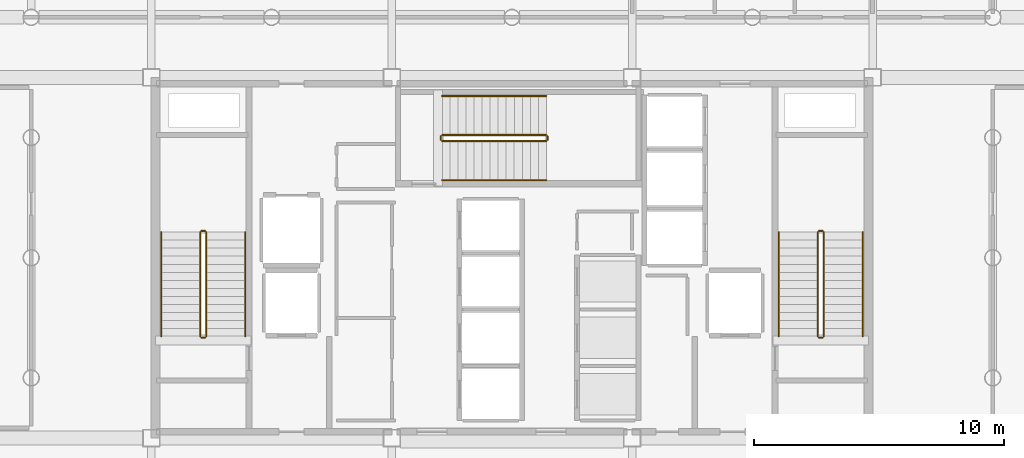
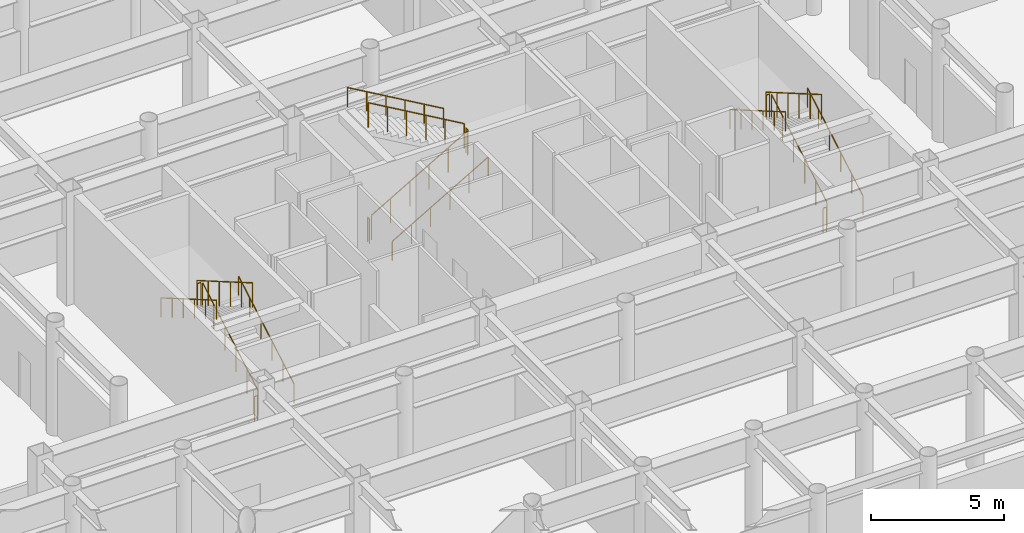
# One storey, part 19 of 20: 18 railings.
"""IFC4 building model written with IfcOpenShell, lengths in metres."""

from ifc_helpers import new_model, si_unit, direction, frame, origin, origin_2d, place, context, subcontext, project, spatial, circle, extrude, material, layer, layer_set, type_object, element, save


model = new_model("IFC4")

# Units and contexts
model_context = context("Model", 3, precision=1e-05, world=origin(), true_north=direction((0.0, 1.0)))
body_context = subcontext(model_context, "Body", "Model", "MODEL_VIEW")
ifc_project = project(units=[si_unit("LENGTHUNIT", "METRE"), si_unit("AREAUNIT", "SQUARE_METRE"), si_unit("VOLUMEUNIT", "CUBIC_METRE"), si_unit("PLANEANGLEUNIT", "RADIAN"), si_unit("MASSUNIT", "GRAM", prefix="KILO")], contexts=[model_context])

# Site, building, storey
site_placement = place(None, origin())
site = spatial("IfcSite", under=ifc_project, at=site_placement, CompositionType="ELEMENT")
building_placement = place(site_placement, origin())
building = spatial("IfcBuilding", under=site, at=building_placement, Name="Kallvorn Hotel Tower", CompositionType="ELEMENT")
storey_placement = place(building_placement, frame((0.0, 0.0, 180.300048828125)))
storey = spatial("IfcBuildingStorey", under=building, at=storey_placement, Name="L45", CompositionType="ELEMENT", Elevation=180.300048828125)

# Railings
ifc_material_1 = material(Name="Brushed stainless-steel tubular railing", Category="steel")
ifc_layer_1 = layer(ifc_material_1, 0.050048828125)
ifc_layer_set_1 = layer_set([ifc_layer_1], Name="RL_STAIR_GUARD")
railing_type_1 = type_object("IfcRailingType", Name="RL_STAIR_GUARD", PredefinedType="GUARDRAIL", material=ifc_layer_set_1)
railing_1_placement = place(storey_placement, frame((-12.2099609375, -3.139892578125, 0.185546875)))
element("IfcRailing", 1, at=railing_1_placement, inside=storey, type_object=railing_type_1, Name="L45 ST1 stair guard 1", PredefinedType="GUARDRAIL", context=body_context, shape_type="SweptSolid", body=[
    extrude(circle(Radius=0.02392578125, at=origin_2d()), frame((0.0, 0.0, 1.1259765625), z_axis=(0.0, 0.864890605827, 0.501960396797), x_axis=(-1.0, 0.0, 0.0)), (0.0, 0.0, 1.0), 4.809814453125),
    extrude(circle(Radius=0.02099609375, at=origin_2d()), origin(), (0.0, 0.0, 1.0), 1.101806640625),
    extrude(circle(Radius=0.02099609375, at=origin_2d()), frame((0.0, 0.83203125, 0.48291015625)), (0.0, 0.0, 1.0), 1.101806640625),
    extrude(circle(Radius=0.02099609375, at=origin_2d()), frame((0.0, 1.6640625, 0.9658203125)), (0.0, 0.0, 1.0), 1.101806640625),
    extrude(circle(Radius=0.02099609375, at=origin_2d()), frame((0.0, 2.495849609375, 1.448486328125)), (0.0, 0.0, 1.0), 1.101806640625),
    extrude(circle(Radius=0.02099609375, at=origin_2d()), frame((0.0, 3.327880859375, 1.931396484375)), (0.0, 0.0, 1.0), 1.101806640625),
    extrude(circle(Radius=0.02099609375, at=origin_2d()), frame((0.0, 4.159912109375, 2.414306640625)), (0.0, 0.0, 1.0), 1.101806640625),
])
railing_2_placement = place(storey_placement, frame((-12.260009765625, 1.070068359375, 2.599853515625)))
element("IfcRailing", 2, at=railing_2_placement, inside=storey, type_object=railing_type_1, Name="L45 ST1 stair guard 2", PredefinedType="GUARDRAIL", context=body_context, shape_type="SweptSolid", body=[
    extrude(circle(Radius=0.02392578125, at=origin_2d()), frame((0.0, 0.0, 1.1259765625), z_axis=(-1.0, 0.0, 0.0), x_axis=(0.0, -1.0, 0.0)), (0.0, 0.0, 1.0), 0.139892578125),
    extrude(circle(Radius=0.02099609375, at=origin_2d()), origin(), (0.0, 0.0, 1.0), 1.101806640625),
    extrude(circle(Radius=0.02099609375, at=origin_2d()), frame((-0.139892578125, 0.0, 0.0)), (0.0, 0.0, 1.0), 1.101806640625),
])
railing_3_placement = place(storey_placement, frame((-12.449951171875, 1.02001953125, 2.78564453125)))
element("IfcRailing", 3, at=railing_3_placement, inside=storey, type_object=railing_type_1, Name="L45 ST1 stair guard 3", PredefinedType="GUARDRAIL", context=body_context, shape_type="SweptSolid", body=[
    extrude(circle(Radius=0.02392578125, at=origin_2d()), frame((0.0, 0.0, 1.1259765625), z_axis=(0.0, -0.864890605827, 0.501960396797), x_axis=(1.0, 0.0, 0.0)), (0.0, 0.0, 1.0), 4.809814453125),
    extrude(circle(Radius=0.02099609375, at=origin_2d()), origin(), (0.0, 0.0, 1.0), 1.101806640625),
    extrude(circle(Radius=0.02099609375, at=origin_2d()), frame((0.0, -0.83203125, 0.48291015625)), (0.0, 0.0, 1.0), 1.101806640625),
    extrude(circle(Radius=0.02099609375, at=origin_2d()), frame((0.0, -1.6640625, 0.9658203125)), (0.0, 0.0, 1.0), 1.101806640625),
    extrude(circle(Radius=0.02099609375, at=origin_2d()), frame((0.0, -2.495849609375, 1.448486328125)), (0.0, 0.0, 1.0), 1.101806640625),
    extrude(circle(Radius=0.02099609375, at=origin_2d()), frame((0.0, -3.327880859375, 1.931396484375)), (0.0, 0.0, 1.0), 1.101806640625),
    extrude(circle(Radius=0.02099609375, at=origin_2d()), frame((0.0, -4.159912109375, 2.414306640625)), (0.0, 0.0, 1.0), 1.101806640625),
])
railing_4_placement = place(storey_placement, frame((-12.260009765625, -3.18994140625, 0.0)))
element("IfcRailing", 4, at=railing_4_placement, inside=storey, type_object=railing_type_1, Name="L45 ST1 stair guard 4", PredefinedType="GUARDRAIL", context=body_context, shape_type="SweptSolid", body=[
    extrude(circle(Radius=0.02392578125, at=origin_2d()), frame((0.0, 0.0, 1.1259765625), z_axis=(-1.0, 0.0, 0.0), x_axis=(0.0, -1.0, 0.0)), (0.0, 0.0, 1.0), 0.139892578125),
    extrude(circle(Radius=0.02099609375, at=origin_2d()), origin(), (0.0, 0.0, 1.0), 1.101806640625),
    extrude(circle(Radius=0.02099609375, at=origin_2d()), frame((-0.139892578125, 0.0, 0.0)), (0.0, 0.0, 1.0), 1.101806640625),
])
railing_5_placement = place(storey_placement, frame((12.449951171875, -3.139892578125, 0.185546875)))
element("IfcRailing", 5, at=railing_5_placement, inside=storey, type_object=railing_type_1, Name="L45 ST2 stair guard 1", PredefinedType="GUARDRAIL", context=body_context, shape_type="SweptSolid", body=[
    extrude(circle(Radius=0.02392578125, at=origin_2d()), frame((0.0, 0.0, 1.1259765625), z_axis=(0.0, 0.864890605827, 0.501960396797), x_axis=(-1.0, 0.0, 0.0)), (0.0, 0.0, 1.0), 4.809814453125),
    extrude(circle(Radius=0.02099609375, at=origin_2d()), origin(), (0.0, 0.0, 1.0), 1.101806640625),
    extrude(circle(Radius=0.02099609375, at=origin_2d()), frame((0.0, 0.83203125, 0.48291015625)), (0.0, 0.0, 1.0), 1.101806640625),
    extrude(circle(Radius=0.02099609375, at=origin_2d()), frame((0.0, 1.6640625, 0.9658203125)), (0.0, 0.0, 1.0), 1.101806640625),
    extrude(circle(Radius=0.02099609375, at=origin_2d()), frame((0.0, 2.495849609375, 1.448486328125)), (0.0, 0.0, 1.0), 1.101806640625),
    extrude(circle(Radius=0.02099609375, at=origin_2d()), frame((0.0, 3.327880859375, 1.931396484375)), (0.0, 0.0, 1.0), 1.101806640625),
    extrude(circle(Radius=0.02099609375, at=origin_2d()), frame((0.0, 4.159912109375, 2.414306640625)), (0.0, 0.0, 1.0), 1.101806640625),
])
railing_6_placement = place(storey_placement, frame((12.39990234375, 1.070068359375, 2.599853515625)))
element("IfcRailing", 6, at=railing_6_placement, inside=storey, type_object=railing_type_1, Name="L45 ST2 stair guard 2", PredefinedType="GUARDRAIL", context=body_context, shape_type="SweptSolid", body=[
    extrude(circle(Radius=0.02392578125, at=origin_2d()), frame((0.0, 0.0, 1.1259765625), z_axis=(-1.0, 0.0, 0.0), x_axis=(0.0, -1.0, 0.0)), (0.0, 0.0, 1.0), 0.139892578125),
    extrude(circle(Radius=0.02099609375, at=origin_2d()), origin(), (0.0, 0.0, 1.0), 1.101806640625),
    extrude(circle(Radius=0.02099609375, at=origin_2d()), frame((-0.139892578125, 0.0, 0.0)), (0.0, 0.0, 1.0), 1.101806640625),
])
railing_7_placement = place(storey_placement, frame((12.2099609375, 1.02001953125, 2.78564453125)))
element("IfcRailing", 7, at=railing_7_placement, inside=storey, type_object=railing_type_1, Name="L45 ST2 stair guard 3", PredefinedType="GUARDRAIL", context=body_context, shape_type="SweptSolid", body=[
    extrude(circle(Radius=0.02392578125, at=origin_2d()), frame((0.0, 0.0, 1.1259765625), z_axis=(0.0, -0.864890605827, 0.501960396797), x_axis=(1.0, 0.0, 0.0)), (0.0, 0.0, 1.0), 4.809814453125),
    extrude(circle(Radius=0.02099609375, at=origin_2d()), origin(), (0.0, 0.0, 1.0), 1.101806640625),
    extrude(circle(Radius=0.02099609375, at=origin_2d()), frame((0.0, -0.83203125, 0.48291015625)), (0.0, 0.0, 1.0), 1.101806640625),
    extrude(circle(Radius=0.02099609375, at=origin_2d()), frame((0.0, -1.6640625, 0.9658203125)), (0.0, 0.0, 1.0), 1.101806640625),
    extrude(circle(Radius=0.02099609375, at=origin_2d()), frame((0.0, -2.495849609375, 1.448486328125)), (0.0, 0.0, 1.0), 1.101806640625),
    extrude(circle(Radius=0.02099609375, at=origin_2d()), frame((0.0, -3.327880859375, 1.931396484375)), (0.0, 0.0, 1.0), 1.101806640625),
    extrude(circle(Radius=0.02099609375, at=origin_2d()), frame((0.0, -4.159912109375, 2.414306640625)), (0.0, 0.0, 1.0), 1.101806640625),
])
railing_8_placement = place(storey_placement, frame((12.39990234375, -3.18994140625, 0.0)))
element("IfcRailing", 8, at=railing_8_placement, inside=storey, type_object=railing_type_1, Name="L45 ST2 stair guard 4", PredefinedType="GUARDRAIL", context=body_context, shape_type="SweptSolid", body=[
    extrude(circle(Radius=0.02392578125, at=origin_2d()), frame((0.0, 0.0, 1.1259765625), z_axis=(-1.0, 0.0, 0.0), x_axis=(0.0, -1.0, 0.0)), (0.0, 0.0, 1.0), 0.139892578125),
    extrude(circle(Radius=0.02099609375, at=origin_2d()), origin(), (0.0, 0.0, 1.0), 1.101806640625),
    extrude(circle(Radius=0.02099609375, at=origin_2d()), frame((-0.139892578125, 0.0, 0.0)), (0.0, 0.0, 1.0), 1.101806640625),
])
railing_9_placement = place(storey_placement, frame((-2.7900390625, 4.659912109375, 0.185546875)))
element("IfcRailing", 9, at=railing_9_placement, inside=storey, type_object=railing_type_1, Name="L45 ST3 stair guard 1", PredefinedType="GUARDRAIL", context=body_context, shape_type="SweptSolid", body=[
    extrude(circle(Radius=0.02392578125, at=origin_2d()), frame((0.0, 0.0, 1.1259765625), z_axis=(0.864903394556, 0.0, 0.501938360843), x_axis=(0.0, 1.0, 0.0)), (0.0, 0.0, 1.0), 4.81005859375),
    extrude(circle(Radius=0.02099609375, at=origin_2d()), origin(), (0.0, 0.0, 1.0), 1.101806640625),
    extrude(circle(Radius=0.02099609375, at=origin_2d()), frame((0.83203125, 0.0, 0.48291015625)), (0.0, 0.0, 1.0), 1.101806640625),
    extrude(circle(Radius=0.02099609375, at=origin_2d()), frame((1.6640625, 0.0, 0.9658203125)), (0.0, 0.0, 1.0), 1.101806640625),
    extrude(circle(Radius=0.02099609375, at=origin_2d()), frame((2.49609375, 0.0, 1.448486328125)), (0.0, 0.0, 1.0), 1.101806640625),
    extrude(circle(Radius=0.02099609375, at=origin_2d()), frame((3.328125, 0.0, 1.931396484375)), (0.0, 0.0, 1.0), 1.101806640625),
    extrude(circle(Radius=0.02099609375, at=origin_2d()), frame((4.16015625, 0.0, 2.414306640625)), (0.0, 0.0, 1.0), 1.101806640625),
])
railing_10_placement = place(storey_placement, frame((1.419921875, 4.7099609375, 2.599853515625)))
element("IfcRailing", 10, at=railing_10_placement, inside=storey, type_object=railing_type_1, Name="L45 ST3 stair guard 2", PredefinedType="GUARDRAIL", context=body_context, shape_type="SweptSolid", body=[
    extrude(circle(Radius=0.02392578125, at=origin_2d()), frame((0.0, 0.0, 1.1259765625), z_axis=(0.0, 1.0, 0.0), x_axis=(-1.0, 0.0, 0.0)), (0.0, 0.0, 1.0), 0.14013671875),
    extrude(circle(Radius=0.02099609375, at=origin_2d()), origin(), (0.0, 0.0, 1.0), 1.101806640625),
    extrude(circle(Radius=0.02099609375, at=origin_2d()), frame((0.0, 0.14013671875, 0.0)), (0.0, 0.0, 1.0), 1.101806640625),
])
railing_11_placement = place(storey_placement, frame((1.3701171875, 4.89990234375, 2.78564453125)))
element("IfcRailing", 11, at=railing_11_placement, inside=storey, type_object=railing_type_1, Name="L45 ST3 stair guard 3", PredefinedType="GUARDRAIL", context=body_context, shape_type="SweptSolid", body=[
    extrude(circle(Radius=0.02392578125, at=origin_2d()), frame((0.0, 0.0, 1.1259765625), z_axis=(-0.864903394556, 0.0, 0.501938360843), x_axis=(0.0, -1.0, 0.0)), (0.0, 0.0, 1.0), 4.81005859375),
    extrude(circle(Radius=0.02099609375, at=origin_2d()), origin(), (0.0, 0.0, 1.0), 1.101806640625),
    extrude(circle(Radius=0.02099609375, at=origin_2d()), frame((-0.83203125, 0.0, 0.48291015625)), (0.0, 0.0, 1.0), 1.101806640625),
    extrude(circle(Radius=0.02099609375, at=origin_2d()), frame((-1.6640625, 0.0, 0.9658203125)), (0.0, 0.0, 1.0), 1.101806640625),
    extrude(circle(Radius=0.02099609375, at=origin_2d()), frame((-2.49609375, 0.0, 1.448486328125)), (0.0, 0.0, 1.0), 1.101806640625),
    extrude(circle(Radius=0.02099609375, at=origin_2d()), frame((-3.328125, 0.0, 1.931396484375)), (0.0, 0.0, 1.0), 1.101806640625),
    extrude(circle(Radius=0.02099609375, at=origin_2d()), frame((-4.16015625, 0.0, 2.414306640625)), (0.0, 0.0, 1.0), 1.101806640625),
])
railing_12_placement = place(storey_placement, frame((-2.840087890625, 4.7099609375, 0.0)))
element("IfcRailing", 12, at=railing_12_placement, inside=storey, type_object=railing_type_1, Name="L45 ST3 stair guard 4", PredefinedType="GUARDRAIL", context=body_context, shape_type="SweptSolid", body=[
    extrude(circle(Radius=0.02392578125, at=origin_2d()), frame((0.0, 0.0, 1.1259765625), z_axis=(0.0, 1.0, 0.0), x_axis=(-1.0, 0.0, 0.0)), (0.0, 0.0, 1.0), 0.14013671875),
    extrude(circle(Radius=0.02099609375, at=origin_2d()), origin(), (0.0, 0.0, 1.0), 1.101806640625),
    extrude(circle(Radius=0.02099609375, at=origin_2d()), frame((0.0, 0.14013671875, 0.0)), (0.0, 0.0, 1.0), 1.101806640625),
])
ifc_material_2 = material(Name="Brushed stainless-steel tubular railing", Category="steel")
ifc_layer_2 = layer(ifc_material_2, 0.050048828125)
ifc_layer_set_2 = layer_set([ifc_layer_2], Name="RL_STAIR_HAND")
railing_type_2 = type_object("IfcRailingType", Name="RL_STAIR_HAND", PredefinedType="HANDRAIL", material=ifc_layer_set_2)
railing_13_placement = place(storey_placement, frame((-10.64990234375, -3.139892578125, 0.185546875)))
element("IfcRailing", 13, at=railing_13_placement, inside=storey, type_object=railing_type_2, Name="L45 ST1 stair handrail 1", PredefinedType="HANDRAIL", context=body_context, shape_type="SweptSolid", body=[
    extrude(circle(Radius=0.02392578125, at=origin_2d()), frame((0.0, 0.0, 0.8759765625), z_axis=(0.0, 0.864890605827, 0.501960396797), x_axis=(-1.0, 0.0, 0.0)), (0.0, 0.0, 1.0), 4.809814453125),
    extrude(circle(Radius=0.02099609375, at=origin_2d()), origin(), (0.0, 0.0, 1.0), 0.851806640625),
    extrude(circle(Radius=0.02099609375, at=origin_2d()), frame((0.0, 0.83203125, 0.48291015625)), (0.0, 0.0, 1.0), 0.851806640625),
    extrude(circle(Radius=0.02099609375, at=origin_2d()), frame((0.0, 1.6640625, 0.9658203125)), (0.0, 0.0, 1.0), 0.851806640625),
    extrude(circle(Radius=0.02099609375, at=origin_2d()), frame((0.0, 2.495849609375, 1.448486328125)), (0.0, 0.0, 1.0), 0.851806640625),
    extrude(circle(Radius=0.02099609375, at=origin_2d()), frame((0.0, 3.327880859375, 1.931396484375)), (0.0, 0.0, 1.0), 0.851806640625),
    extrude(circle(Radius=0.02099609375, at=origin_2d()), frame((0.0, 4.159912109375, 2.414306640625)), (0.0, 0.0, 1.0), 0.851806640625),
])
railing_14_placement = place(storey_placement, frame((-14.010009765625, 1.02001953125, 2.78564453125)))
element("IfcRailing", 14, at=railing_14_placement, inside=storey, type_object=railing_type_2, Name="L45 ST1 stair handrail 2", PredefinedType="HANDRAIL", context=body_context, shape_type="SweptSolid", body=[
    extrude(circle(Radius=0.02392578125, at=origin_2d()), frame((0.0, 0.0, 0.8759765625), z_axis=(0.0, -0.864890605827, 0.501960396797), x_axis=(1.0, 0.0, 0.0)), (0.0, 0.0, 1.0), 4.809814453125),
    extrude(circle(Radius=0.02099609375, at=origin_2d()), origin(), (0.0, 0.0, 1.0), 0.851806640625),
    extrude(circle(Radius=0.02099609375, at=origin_2d()), frame((0.0, -0.83203125, 0.48291015625)), (0.0, 0.0, 1.0), 0.851806640625),
    extrude(circle(Radius=0.02099609375, at=origin_2d()), frame((0.0, -1.6640625, 0.9658203125)), (0.0, 0.0, 1.0), 0.851806640625),
    extrude(circle(Radius=0.02099609375, at=origin_2d()), frame((0.0, -2.495849609375, 1.448486328125)), (0.0, 0.0, 1.0), 0.851806640625),
    extrude(circle(Radius=0.02099609375, at=origin_2d()), frame((0.0, -3.327880859375, 1.931396484375)), (0.0, 0.0, 1.0), 0.851806640625),
    extrude(circle(Radius=0.02099609375, at=origin_2d()), frame((0.0, -4.159912109375, 2.414306640625)), (0.0, 0.0, 1.0), 0.851806640625),
])
railing_15_placement = place(storey_placement, frame((14.010009765625, -3.139892578125, 0.185546875)))
element("IfcRailing", 15, at=railing_15_placement, inside=storey, type_object=railing_type_2, Name="L45 ST2 stair handrail 1", PredefinedType="HANDRAIL", context=body_context, shape_type="SweptSolid", body=[
    extrude(circle(Radius=0.02392578125, at=origin_2d()), frame((0.0, 0.0, 0.8759765625), z_axis=(0.0, 0.864890605827, 0.501960396797), x_axis=(-1.0, 0.0, 0.0)), (0.0, 0.0, 1.0), 4.809814453125),
    extrude(circle(Radius=0.02099609375, at=origin_2d()), origin(), (0.0, 0.0, 1.0), 0.851806640625),
    extrude(circle(Radius=0.02099609375, at=origin_2d()), frame((0.0, 0.83203125, 0.48291015625)), (0.0, 0.0, 1.0), 0.851806640625),
    extrude(circle(Radius=0.02099609375, at=origin_2d()), frame((0.0, 1.6640625, 0.9658203125)), (0.0, 0.0, 1.0), 0.851806640625),
    extrude(circle(Radius=0.02099609375, at=origin_2d()), frame((0.0, 2.495849609375, 1.448486328125)), (0.0, 0.0, 1.0), 0.851806640625),
    extrude(circle(Radius=0.02099609375, at=origin_2d()), frame((0.0, 3.327880859375, 1.931396484375)), (0.0, 0.0, 1.0), 0.851806640625),
    extrude(circle(Radius=0.02099609375, at=origin_2d()), frame((0.0, 4.159912109375, 2.414306640625)), (0.0, 0.0, 1.0), 0.851806640625),
])
railing_16_placement = place(storey_placement, frame((10.64990234375, 1.02001953125, 2.78564453125)))
element("IfcRailing", 16, at=railing_16_placement, inside=storey, type_object=railing_type_2, Name="L45 ST2 stair handrail 2", PredefinedType="HANDRAIL", context=body_context, shape_type="SweptSolid", body=[
    extrude(circle(Radius=0.02392578125, at=origin_2d()), frame((0.0, 0.0, 0.8759765625), z_axis=(0.0, -0.864890605827, 0.501960396797), x_axis=(1.0, 0.0, 0.0)), (0.0, 0.0, 1.0), 4.809814453125),
    extrude(circle(Radius=0.02099609375, at=origin_2d()), origin(), (0.0, 0.0, 1.0), 0.851806640625),
    extrude(circle(Radius=0.02099609375, at=origin_2d()), frame((0.0, -0.83203125, 0.48291015625)), (0.0, 0.0, 1.0), 0.851806640625),
    extrude(circle(Radius=0.02099609375, at=origin_2d()), frame((0.0, -1.6640625, 0.9658203125)), (0.0, 0.0, 1.0), 0.851806640625),
    extrude(circle(Radius=0.02099609375, at=origin_2d()), frame((0.0, -2.495849609375, 1.448486328125)), (0.0, 0.0, 1.0), 0.851806640625),
    extrude(circle(Radius=0.02099609375, at=origin_2d()), frame((0.0, -3.327880859375, 1.931396484375)), (0.0, 0.0, 1.0), 0.851806640625),
    extrude(circle(Radius=0.02099609375, at=origin_2d()), frame((0.0, -4.159912109375, 2.414306640625)), (0.0, 0.0, 1.0), 0.851806640625),
])
railing_17_placement = place(storey_placement, frame((-2.7900390625, 3.10009765625, 0.185546875)))
element("IfcRailing", 17, at=railing_17_placement, inside=storey, type_object=railing_type_2, Name="L45 ST3 stair handrail 1", PredefinedType="HANDRAIL", context=body_context, shape_type="SweptSolid", body=[
    extrude(circle(Radius=0.02392578125, at=origin_2d()), frame((0.0, 0.0, 0.8759765625), z_axis=(0.864903394556, 0.0, 0.501938360843), x_axis=(0.0, 1.0, 0.0)), (0.0, 0.0, 1.0), 4.81005859375),
    extrude(circle(Radius=0.02099609375, at=origin_2d()), origin(), (0.0, 0.0, 1.0), 0.851806640625),
    extrude(circle(Radius=0.02099609375, at=origin_2d()), frame((0.83203125, 0.0, 0.48291015625)), (0.0, 0.0, 1.0), 0.851806640625),
    extrude(circle(Radius=0.02099609375, at=origin_2d()), frame((1.6640625, 0.0, 0.9658203125)), (0.0, 0.0, 1.0), 0.851806640625),
    extrude(circle(Radius=0.02099609375, at=origin_2d()), frame((2.49609375, 0.0, 1.448486328125)), (0.0, 0.0, 1.0), 0.851806640625),
    extrude(circle(Radius=0.02099609375, at=origin_2d()), frame((3.328125, 0.0, 1.931396484375)), (0.0, 0.0, 1.0), 0.851806640625),
    extrude(circle(Radius=0.02099609375, at=origin_2d()), frame((4.16015625, 0.0, 2.414306640625)), (0.0, 0.0, 1.0), 0.851806640625),
])
railing_18_placement = place(storey_placement, frame((1.3701171875, 6.4599609375, 2.78564453125)))
element("IfcRailing", 18, at=railing_18_placement, inside=storey, type_object=railing_type_2, Name="L45 ST3 stair handrail 2", PredefinedType="HANDRAIL", context=body_context, shape_type="SweptSolid", body=[
    extrude(circle(Radius=0.02392578125, at=origin_2d()), frame((0.0, 0.0, 0.8759765625), z_axis=(-0.864903394556, 0.0, 0.501938360843), x_axis=(0.0, -1.0, 0.0)), (0.0, 0.0, 1.0), 4.81005859375),
    extrude(circle(Radius=0.02099609375, at=origin_2d()), origin(), (0.0, 0.0, 1.0), 0.851806640625),
    extrude(circle(Radius=0.02099609375, at=origin_2d()), frame((-0.83203125, 0.0, 0.48291015625)), (0.0, 0.0, 1.0), 0.851806640625),
    extrude(circle(Radius=0.02099609375, at=origin_2d()), frame((-1.6640625, 0.0, 0.9658203125)), (0.0, 0.0, 1.0), 0.851806640625),
    extrude(circle(Radius=0.02099609375, at=origin_2d()), frame((-2.49609375, 0.0, 1.448486328125)), (0.0, 0.0, 1.0), 0.851806640625),
    extrude(circle(Radius=0.02099609375, at=origin_2d()), frame((-3.328125, 0.0, 1.931396484375)), (0.0, 0.0, 1.0), 0.851806640625),
    extrude(circle(Radius=0.02099609375, at=origin_2d()), frame((-4.16015625, 0.0, 2.414306640625)), (0.0, 0.0, 1.0), 0.851806640625),
])

save(model, "model.ifc")
